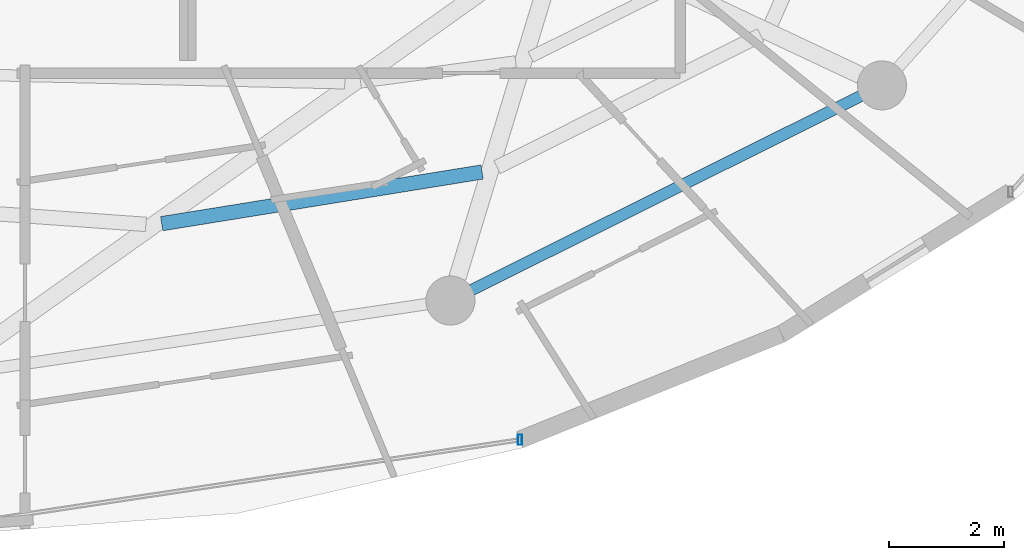
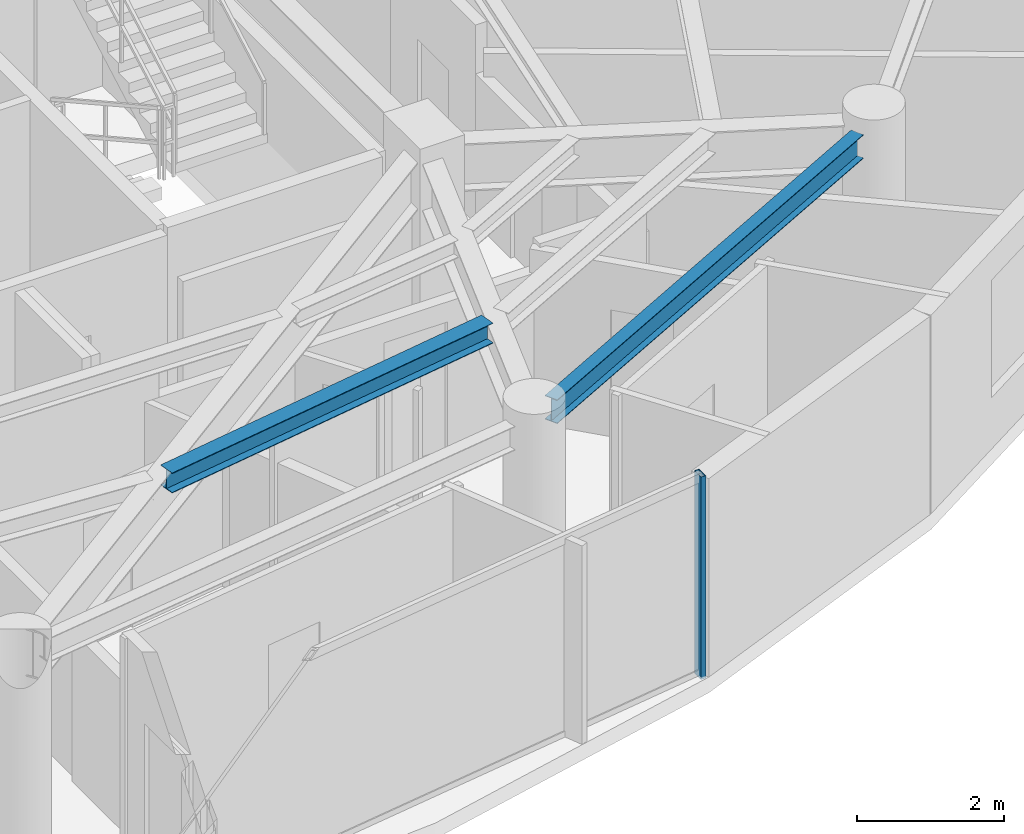
# One storey, part 11 of 31: 2 beams, 1 member, 1 element without a shape of its own.
"""IFC4 building model written with IfcOpenShell, lengths in metres."""

from ifc_helpers import new_model, si_unit, direction, frame, origin, origin_2d, place, context, subcontext, project, spatial, hollow_rectangle, i_section, extrude, material, material_profile, profile_set, type_object, element, aggregate, save


model = new_model("IFC4")

# Units and contexts
model_context = context("Model", 3, precision=1e-05, world=origin(), true_north=direction((0.0, 1.0)))
body_context = subcontext(model_context, "Body", "Model", "MODEL_VIEW")
ifc_project = project(units=[si_unit("LENGTHUNIT", "METRE"), si_unit("AREAUNIT", "SQUARE_METRE"), si_unit("VOLUMEUNIT", "CUBIC_METRE"), si_unit("PLANEANGLEUNIT", "RADIAN"), si_unit("MASSUNIT", "GRAM", prefix="KILO")], contexts=[model_context])

# Site, building, storey
site_placement = place(None, origin())
site = spatial("IfcSite", under=ifc_project, at=site_placement, CompositionType="ELEMENT")
building_placement = place(site_placement, origin())
building = spatial("IfcBuilding", under=site, at=building_placement, Name="Vorneva Point Tower", CompositionType="ELEMENT")
storey_placement = place(building_placement, frame((0.0, 0.0, 266.199951171875)))
storey = spatial("IfcBuildingStorey", under=building, at=storey_placement, Name="L72", CompositionType="ELEMENT", Elevation=266.199951171875)

# Beams
ifc_material_1 = material(Name="Steel S355", Category="steel")
ifc_material_profile_1 = material_profile(ifc_material_1, i_section(OverallWidth=0.2490234375, OverallDepth=0.333984375, WebThickness=0.008056640625, FlangeThickness=0.010986328125, at=origin_2d()), Name="35Sh1")
ifc_profile_set_1 = profile_set([ifc_material_profile_1], Name="Steel S355")
beam_type_1 = type_object("IfcBeamType", Name="BM-SEC-35Sh1", PredefinedType="BEAM", material=ifc_profile_set_1)
beam_1_placement = place(storey_placement, frame((41.81787109375, 11.44189453125, 3.123046875), z_axis=(0.98724398281, 0.159214692804, 0.0), x_axis=(-0.159214692804, 0.98724398281, 0.0)))
element("IfcBeam", 1, at=beam_1_placement, inside=storey, type_object=beam_type_1, Name="L72 Secondary Floor Beam 1.13", PredefinedType="BEAM", context=body_context, shape_type="SweptSolid", body=[
    extrude(i_section(OverallWidth=0.2490234375, OverallDepth=0.333984375, WebThickness=0.008056640625, FlangeThickness=0.010986328125, at=origin_2d()), origin(), (0.0, 0.0, 1.0), 5.623046875),
])
ifc_material_profile_2 = material_profile(ifc_material_1, i_section(OverallWidth=0.198974609375, OverallDepth=0.39599609375, WebThickness=0.007080078125, FlangeThickness=0.010986328125, at=origin_2d()), Name="40B1")
ifc_profile_set_2 = profile_set([ifc_material_profile_2], Name="Steel S355")
beam_type_2 = type_object("IfcBeamType", Name="BM-SPN-40B1", PredefinedType="SPANDREL", material=ifc_profile_set_2)
beam_2_placement = place(storey_placement, frame((47.187744140625, 10.292236328125, 3.092041015625), z_axis=(0.894932011528, 0.446202526599, 0.0), x_axis=(-0.446202526599, 0.894932011528, 0.0)))
element("IfcBeam", 2, at=beam_2_placement, inside=storey, type_object=beam_type_2, Name="L72 Perimeter Spandrel Ring Beam 14", PredefinedType="SPANDREL", context=body_context, shape_type="SweptSolid", body=[
    extrude(i_section(OverallWidth=0.198974609375, OverallDepth=0.39599609375, WebThickness=0.007080078125, FlangeThickness=0.010986328125, at=origin_2d()), origin(), (0.0, 0.0, 1.0), 7.535888671875),
])

# Curtain wall, member
ifc_material_2 = material(Name="Pale anodised aluminium", Category="aluminium")
curtain_wall_type = type_object("IfcCurtainWallType", Name="CW-RES-SYS", PredefinedType="NOTDEFINED", material=ifc_material_2)
curtain_wall_placement = place(storey_placement, origin())
curtain_wall = element("IfcCurtainWall", 3, at=curtain_wall_placement, inside=storey, type_object=curtain_wall_type, Name="L72 Unitised Curtain Wall CW-L72-R04", PredefinedType="NOTDEFINED")
ifc_material_profile_3 = material_profile(ifc_material_2, hollow_rectangle(XDim=0.074951171875, YDim=0.179931640625, WallThickness=0.00390625, at=origin_2d()), Name="AL-MUL 180x75x4")
ifc_profile_set_3 = profile_set([ifc_material_profile_3], Name="Pale anodised aluminium")
member_type = type_object("IfcMemberType", Name="CW-MUL-180", PredefinedType="MULLION", material=ifc_profile_set_3)
member_placement = place(storey_placement, frame((48.0263671875, 7.697998046875, -0.0400390625), z_axis=(0.0, 0.0, 1.0), x_axis=(1.0, 0.0, 0.0)))
member = element("IfcMember", 4, at=member_placement, type_object=member_type, Name="CW-L72-R04 Mullion 03", PredefinedType="MULLION", context=body_context, shape_type="SweptSolid", body=[
    extrude(hollow_rectangle(XDim=0.074951171875, YDim=0.179931640625, WallThickness=0.00390625, at=origin_2d()), origin(), (0.0, 0.0, 1.0), 3.360107421875),
])
aggregate(curtain_wall, [member])

save(model, "model.ifc")
